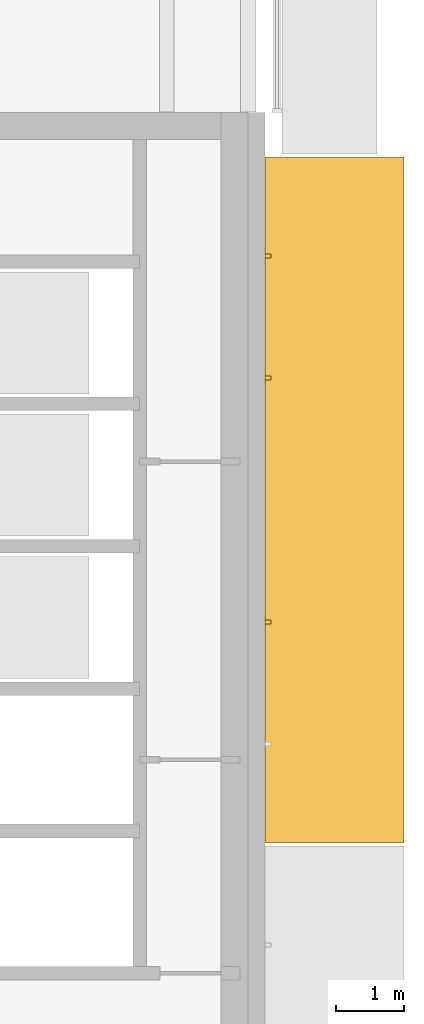
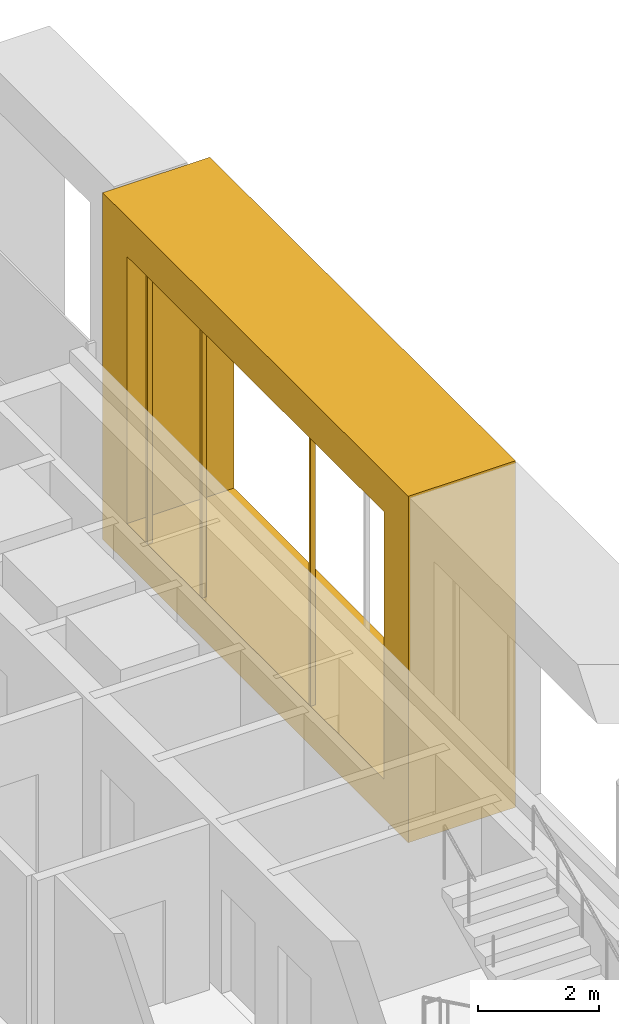
# One storey, part 17 of 19: 4 coverings.
"""IFC4 building model written with IfcOpenShell, lengths in metres."""

from ifc_helpers import new_model, si_unit, direction, frame, origin, origin_2d, place, context, subcontext, project, spatial, polyline, rectangle, outline, extrude, material, type_object, element, save


model = new_model("IFC4")

# Units and contexts
model_context = context("Model", 3, precision=1e-05, world=origin(), true_north=direction((0.0, 1.0)))
body_context = subcontext(model_context, "Body", "Model", "MODEL_VIEW")
ifc_project = project(units=[si_unit("LENGTHUNIT", "METRE"), si_unit("AREAUNIT", "SQUARE_METRE"), si_unit("VOLUMEUNIT", "CUBIC_METRE"), si_unit("PLANEANGLEUNIT", "RADIAN"), si_unit("MASSUNIT", "GRAM", prefix="KILO")], contexts=[model_context])

# Site, building, storey
site_placement = place(None, origin())
site = spatial("IfcSite", under=ifc_project, at=site_placement, CompositionType="ELEMENT")
building_placement = place(site_placement, origin())
building = spatial("IfcBuilding", under=site, at=building_placement, Name="Cobrizo Arcos Hotel Tower", CompositionType="ELEMENT")
storey_placement = place(building_placement, frame((0.0, 0.0, 198.0)))
storey = spatial("IfcBuildingStorey", under=building, at=storey_placement, Name="L51", CompositionType="ELEMENT", Elevation=198.0)

# Coverings
ifc_material_1 = material(Name="Aluminium 6063-T6 anodised bronze", Category="aluminium")
covering_type_1 = type_object("IfcCoveringType", Name="FIN-F 2050", PredefinedType="CLADDING", material=ifc_material_1)
covering_placement = place(storey_placement, frame((20.64990234375, 0.02490234375, 0.0), z_axis=(1.0, 0.0, 0.0), x_axis=(0.0, 1.0, 0.0)))
element("IfcCovering", 1, at=covering_placement, inside=storey, type_object=covering_type_1, Name="Fin frame 311", PredefinedType="CLADDING", context=body_context, shape_type="SweptSolid", body=[
    extrude(outline(polyline([(0.0, 7.0), (0.0, 0.0), (10.11669921875, 0.0), (10.11669921875, 7.0), (0.0, 7.0)]), holes=[polyline([(9.316650390625, 0.800048828125), (0.800048828125, 0.800048828125), (0.800048828125, 6.199951171875), (9.316650390625, 6.199951171875), (9.316650390625, 0.800048828125)])]), origin(), (0.0, 0.0, 1.0), 2.050048828125),
])
ifc_material_2 = material(Name="Aluminium 6063-T6 anodised pale", Category="aluminium")
covering_type_2 = type_object("IfcCoveringType", Name="RS-1 rainscreen rib 60x90", PredefinedType="CLADDING", material=ifc_material_2)
for number, where, z_axis, x_axis, name in (
    (2, (20.695068359375, 3.283447265625, 0.800048828125), (0.0, 0.0, 1.0), (0.0, 1.0, 0.0), "Rainscreen rib 198"),
    (3, (20.695068359375, 6.88330078125, 0.800048828125), (0.0, 0.0, 1.0), (0.0, 1.0, 0.0), "Rainscreen rib 199"),
    (4, (20.695068359375, 8.683349609375, 0.800048828125), (0.0, 0.0, 1.0), (0.0, 1.0, 0.0), "Rainscreen rib 200"),
):
    element("IfcCovering", number, at=place(storey_placement, frame(where, z_axis=z_axis, x_axis=x_axis)), inside=storey, type_object=covering_type_2, Name=name, PredefinedType="CLADDING", context=body_context, shape_type="SweptSolid", body=[
        extrude(rectangle(XDim=0.06005859375, YDim=0.090087890625, at=origin_2d()), origin(), (0.0, 0.0, 1.0), 5.39990234375),
    ])

save(model, "model.ifc")
